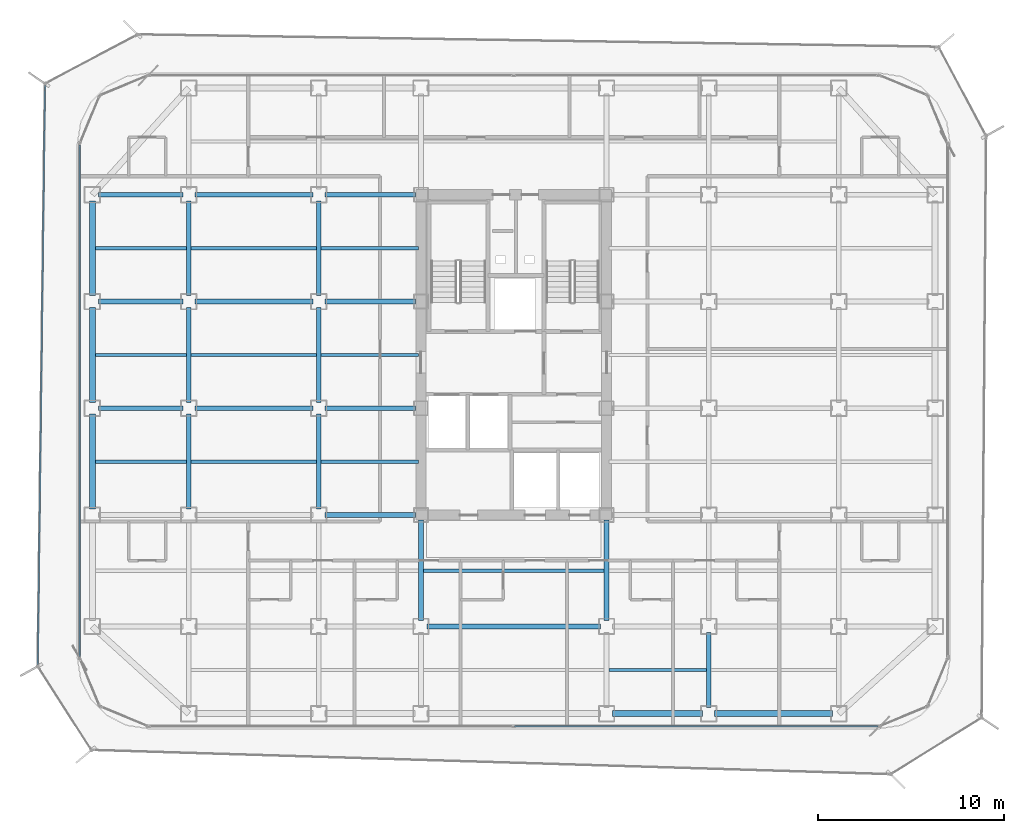
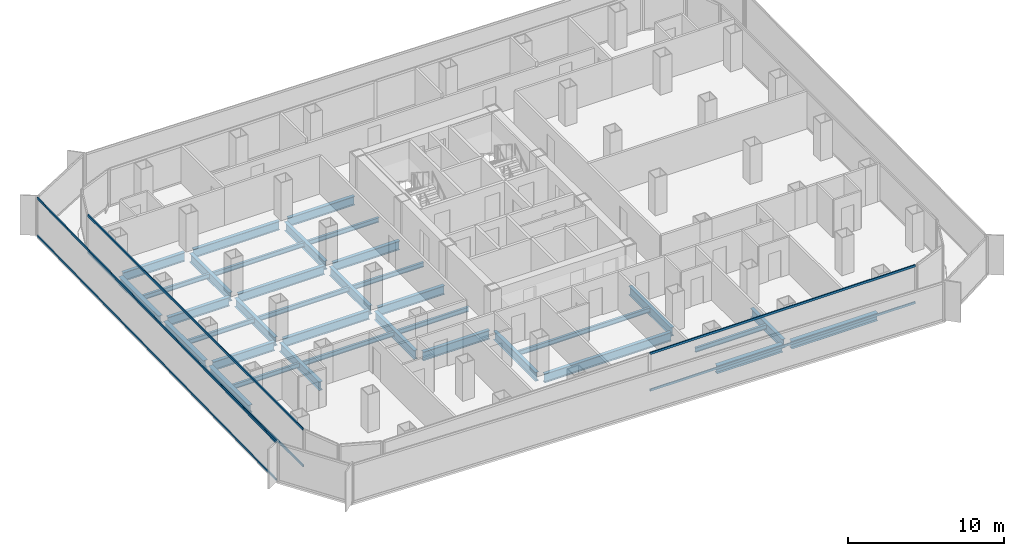
# One storey, part 5 of 21: 36 beams, 6 members, 3 elements without a shape of their own.
"""IFC4 building model written with IfcOpenShell, lengths in metres."""

from ifc_helpers import new_model, si_unit, direction, frame, origin, origin_2d, place, context, subcontext, project, spatial, hollow_rectangle, i_section, extrude, source, transform, mapped, material, layer, layer_set, material_profile, profile_set, type_object, element, aggregate, save


model = new_model("IFC4")

# Units and contexts
model_context = context("Model", 3, precision=1e-05, world=origin(), true_north=direction((0.0, 1.0)))
body_context = subcontext(model_context, "Body", "Model", "MODEL_VIEW")
ifc_project = project(units=[si_unit("LENGTHUNIT", "METRE"), si_unit("AREAUNIT", "SQUARE_METRE"), si_unit("VOLUMEUNIT", "CUBIC_METRE"), si_unit("PLANEANGLEUNIT", "RADIAN"), si_unit("MASSUNIT", "GRAM", prefix="KILO")], contexts=[model_context])

# Site, building, storey
site_placement = place(None, origin())
site = spatial("IfcSite", under=ifc_project, at=site_placement, CompositionType="ELEMENT")
building_placement = place(site_placement, origin())
building = spatial("IfcBuilding", under=site, at=building_placement, Name="Kolveth Station Tower", CompositionType="ELEMENT")
storey_placement = place(building_placement, frame((0.0, 0.0, 99.10009765625)))
storey = spatial("IfcBuildingStorey", under=building, at=storey_placement, Name="L26", CompositionType="ELEMENT", Elevation=99.10009765625)

# Beams
ifc_material_1 = material(Name="Steel S355", Category="steel")
ifc_material_profile_1 = material_profile(ifc_material_1, i_section(OverallWidth=0.323974609375, OverallDepth=0.611083984375, WebThickness=0.0126953125, FlangeThickness=0.01904296875, at=origin_2d()), Name="W610x155")
ifc_profile_set_1 = profile_set([ifc_material_profile_1], Name="Steel S355")
beam_type_1 = type_object("IfcBeamType", Name="Beam_SP2", PredefinedType="SPANDREL", material=ifc_profile_set_1)
shared_shape_1 = source(origin(), body_context, "Body", "SweptSolid", [
    extrude(i_section(OverallWidth=0.323974609375, OverallDepth=0.611083984375, WebThickness=0.0126953125, FlangeThickness=0.01904296875, at=origin_2d()), origin(), (0.0, 0.0, 1.0), 6.35986328125),
])
beam_1_placement = place(storey_placement, frame((34.320068359375, 0.800048828125, -0.5556640625), z_axis=(1.0, 0.0, 0.0), x_axis=(0.0, 1.0, 0.0)))
element("IfcBeam", 1, at=beam_1_placement, inside=storey, type_object=beam_type_1, Name="L26 Perimeter Spandrel BM-L26-PS-5", PredefinedType="SPANDREL", context=body_context, shape_type="MappedRepresentation", body=[
    mapped(shared_shape_1, transform((0.0, 0.0, 0.0), x_axis=(1.0, 0.0, 0.0), y_axis=(0.0, 1.0, 0.0), z_axis=(0.0, 0.0, 1.0), scale=1.0)),
])
shared_shape_2 = source(origin(), body_context, "Body", "SweptSolid", [
    extrude(i_section(OverallWidth=0.323974609375, OverallDepth=0.611083984375, WebThickness=0.0126953125, FlangeThickness=0.01904296875, at=origin_2d()), origin(), (0.0, 0.0, 1.0), 4.85986328125),
])
beam_2_placement = place(storey_placement, frame((28.820068359375, 0.800048828125, -0.5556640625), z_axis=(1.0, 0.0, 0.0), x_axis=(0.0, 1.0, 0.0)))
element("IfcBeam", 2, at=beam_2_placement, inside=storey, type_object=beam_type_1, Name="L26 Perimeter Spandrel BM-L26-PS-4", PredefinedType="SPANDREL", context=body_context, shape_type="MappedRepresentation", body=[
    mapped(shared_shape_2, transform((0.0, 0.0, 0.0), x_axis=(1.0, 0.0, 0.0), y_axis=(0.0, 1.0, 0.0), z_axis=(0.0, 0.0, 1.0), scale=1.0)),
])
shared_shape_3 = source(origin(), body_context, "Body", "SweptSolid", [
    extrude(i_section(OverallWidth=0.323974609375, OverallDepth=0.611083984375, WebThickness=0.0126953125, FlangeThickness=0.01904296875, at=origin_2d()), origin(), (0.0, 0.0, 1.0), 5.10986328125),
])
for number, where, z_axis, x_axis, name in (
    (3, (0.800048828125, 11.820068359375, -0.5556640625), (0.0, 1.0, 0.0), (-1.0, 0.0, 0.0), "L26 Perimeter Spandrel BM-L26-PW-2"),
    (4, (0.800048828125, 17.570068359375, -0.5556640625), (0.0, 1.0, 0.0), (-1.0, 0.0, 0.0), "L26 Perimeter Spandrel BM-L26-PW-3"),
    (5, (0.800048828125, 23.320068359375, -0.5556640625), (0.0, 1.0, 0.0), (-1.0, 0.0, 0.0), "L26 Perimeter Spandrel BM-L26-PW-4"),
):
    element("IfcBeam", number, at=place(storey_placement, frame(where, z_axis=z_axis, x_axis=x_axis)), inside=storey, type_object=beam_type_1, Name=name, PredefinedType="SPANDREL", context=body_context, shape_type="MappedRepresentation", body=[
        mapped(shared_shape_3, transform((0.0, 0.0, 0.0), x_axis=(1.0, 0.0, 0.0), y_axis=(0.0, 1.0, 0.0), z_axis=(0.0, 0.0, 1.0), scale=1.0)),
    ])
ifc_material_profile_2 = material_profile(ifc_material_1, i_section(OverallWidth=0.25390625, OverallDepth=0.68798828125, WebThickness=0.01318359375, FlangeThickness=0.02099609375, at=origin_2d()), Name="W690x152")
ifc_profile_set_2 = profile_set([ifc_material_profile_2], Name="Steel S355")
beam_type_2 = type_object("IfcBeamType", Name="Beam_B4", PredefinedType="BEAM", material=ifc_profile_set_2)
shared_shape_4 = source(origin(), body_context, "Body", "SweptSolid", [
    extrude(i_section(OverallWidth=0.25390625, OverallDepth=0.68798828125, WebThickness=0.01318359375, FlangeThickness=0.02099609375, at=origin_2d()), origin(), (0.0, 0.0, 1.0), 4.559814453125),
])
for number, where, z_axis, x_axis, name in (
    (6, (1.1201171875, 17.25, -0.593994140625), (1.0, 0.0, 0.0), (0.0, 1.0, 0.0), "L26 Primary Girder BM-L26-GY172-1"),
    (7, (1.1201171875, 23.0, -0.593994140625), (1.0, 0.0, 0.0), (0.0, 1.0, 0.0), "L26 Primary Girder BM-L26-GY230-1"),
    (8, (1.1201171875, 28.75, -0.593994140625), (1.0, 0.0, 0.0), (0.0, 1.0, 0.0), "L26 Primary Girder BM-L26-GY287-1"),
):
    element("IfcBeam", number, at=place(storey_placement, frame(where, z_axis=z_axis, x_axis=x_axis)), inside=storey, type_object=beam_type_2, Name=name, PredefinedType="BEAM", context=body_context, shape_type="MappedRepresentation", body=[
        mapped(shared_shape_4, transform((0.0, 0.0, 0.0), x_axis=(1.0, 0.0, 0.0), y_axis=(0.0, 1.0, 0.0), z_axis=(0.0, 0.0, 1.0), scale=1.0)),
    ])
shared_shape_5 = source(origin(), body_context, "Body", "SweptSolid", [
    extrude(i_section(OverallWidth=0.25390625, OverallDepth=0.68798828125, WebThickness=0.01318359375, FlangeThickness=0.02099609375, at=origin_2d()), origin(), (0.0, 0.0, 1.0), 6.35986328125),
])
for number, where, z_axis, x_axis, name in (
    (9, (6.320068359375, 17.25, -0.593994140625), (1.0, 0.0, 0.0), (0.0, 1.0, 0.0), "L26 Primary Girder BM-L26-GY172-2"),
    (10, (6.320068359375, 23.0, -0.593994140625), (1.0, 0.0, 0.0), (0.0, 1.0, 0.0), "L26 Primary Girder BM-L26-GY230-2"),
    (11, (6.320068359375, 28.75, -0.593994140625), (1.0, 0.0, 0.0), (0.0, 1.0, 0.0), "L26 Primary Girder BM-L26-GY287-2"),
):
    element("IfcBeam", number, at=place(storey_placement, frame(where, z_axis=z_axis, x_axis=x_axis)), inside=storey, type_object=beam_type_2, Name=name, PredefinedType="BEAM", context=body_context, shape_type="MappedRepresentation", body=[
        mapped(shared_shape_5, transform((0.0, 0.0, 0.0), x_axis=(1.0, 0.0, 0.0), y_axis=(0.0, 1.0, 0.0), z_axis=(0.0, 0.0, 1.0), scale=1.0)),
    ])
shared_shape_6 = source(origin(), body_context, "Body", "SweptSolid", [
    extrude(i_section(OverallWidth=0.25390625, OverallDepth=0.68798828125, WebThickness=0.01318359375, FlangeThickness=0.02099609375, at=origin_2d()), origin(), (0.0, 0.0, 1.0), 9.35986328125),
])
beam_3_placement = place(storey_placement, frame((18.820068359375, 5.5, -0.593994140625), z_axis=(1.0, 0.0, 0.0), x_axis=(0.0, 1.0, 0.0)))
element("IfcBeam", 12, at=beam_3_placement, inside=storey, type_object=beam_type_2, Name="L26 Primary Girder BM-L26-GY55-4", PredefinedType="BEAM", context=body_context, shape_type="MappedRepresentation", body=[
    mapped(shared_shape_6, transform((0.0, 0.0, 0.0), x_axis=(1.0, 0.0, 0.0), y_axis=(0.0, 1.0, 0.0), z_axis=(0.0, 0.0, 1.0), scale=1.0)),
])
shared_shape_7 = source(origin(), body_context, "Body", "SweptSolid", [
    extrude(i_section(OverallWidth=0.25390625, OverallDepth=0.68798828125, WebThickness=0.01318359375, FlangeThickness=0.02099609375, at=origin_2d()), origin(), (0.0, 0.0, 1.0), 4.89990234375),
])
for number, where, z_axis, x_axis, name in (
    (13, (13.320068359375, 11.5, -0.593994140625), (1.0, 0.0, 0.0), (0.0, 1.0, 0.0), "L26 Primary Girder BM-L26-GY115-3"),
    (14, (13.320068359375, 17.25, -0.593994140625), (1.0, 0.0, 0.0), (0.0, 1.0, 0.0), "L26 Primary Girder BM-L26-GY172-3"),
    (15, (13.320068359375, 23.0, -0.593994140625), (1.0, 0.0, 0.0), (0.0, 1.0, 0.0), "L26 Primary Girder BM-L26-GY230-3"),
    (16, (13.320068359375, 28.75, -0.593994140625), (1.0, 0.0, 0.0), (0.0, 1.0, 0.0), "L26 Primary Girder BM-L26-GY287-3"),
):
    element("IfcBeam", number, at=place(storey_placement, frame(where, z_axis=z_axis, x_axis=x_axis)), inside=storey, type_object=beam_type_2, Name=name, PredefinedType="BEAM", context=body_context, shape_type="MappedRepresentation", body=[
        mapped(shared_shape_7, transform((0.0, 0.0, 0.0), x_axis=(1.0, 0.0, 0.0), y_axis=(0.0, 1.0, 0.0), z_axis=(0.0, 0.0, 1.0), scale=1.0)),
    ])
shared_shape_8 = source(origin(), body_context, "Body", "SweptSolid", [
    extrude(i_section(OverallWidth=0.25390625, OverallDepth=0.68798828125, WebThickness=0.01318359375, FlangeThickness=0.02099609375, at=origin_2d()), origin(), (0.0, 0.0, 1.0), 4.059814453125),
])
beam_4_placement = place(storey_placement, frame((34.0, 1.1201171875, -0.593994140625), z_axis=(0.0, 1.0, 0.0), x_axis=(-1.0, 0.0, 0.0)))
element("IfcBeam", 17, at=beam_4_placement, inside=storey, type_object=beam_type_2, Name="L26 Primary Girder BM-L26-GX340-1", PredefinedType="BEAM", context=body_context, shape_type="MappedRepresentation", body=[
    mapped(shared_shape_8, transform((0.0, 0.0, 0.0), x_axis=(1.0, 0.0, 0.0), y_axis=(0.0, 1.0, 0.0), z_axis=(0.0, 0.0, 1.0), scale=1.0)),
])
shared_shape_9 = source(origin(), body_context, "Body", "SweptSolid", [
    extrude(i_section(OverallWidth=0.25390625, OverallDepth=0.68798828125, WebThickness=0.01318359375, FlangeThickness=0.02099609375, at=origin_2d()), origin(), (0.0, 0.0, 1.0), 5.10986328125),
])
for number, where, z_axis, x_axis, name in (
    (18, (6.0, 11.820068359375, -0.593994140625), (0.0, 1.0, 0.0), (-1.0, 0.0, 0.0), "L26 Primary Girder BM-L26-GX60-3"),
    (19, (6.0, 17.570068359375, -0.593994140625), (0.0, 1.0, 0.0), (-1.0, 0.0, 0.0), "L26 Primary Girder BM-L26-GX60-4"),
    (20, (6.0, 23.320068359375, -0.593994140625), (0.0, 1.0, 0.0), (-1.0, 0.0, 0.0), "L26 Primary Girder BM-L26-GX60-5"),
    (21, (13.0, 11.820068359375, -0.593994140625), (0.0, 1.0, 0.0), (-1.0, 0.0, 0.0), "L26 Primary Girder BM-L26-GX130-3"),
    (22, (13.0, 17.570068359375, -0.593994140625), (0.0, 1.0, 0.0), (-1.0, 0.0, 0.0), "L26 Primary Girder BM-L26-GX130-4"),
    (23, (13.0, 23.320068359375, -0.593994140625), (0.0, 1.0, 0.0), (-1.0, 0.0, 0.0), "L26 Primary Girder BM-L26-GX130-5"),
):
    element("IfcBeam", number, at=place(storey_placement, frame(where, z_axis=z_axis, x_axis=x_axis)), inside=storey, type_object=beam_type_2, Name=name, PredefinedType="BEAM", context=body_context, shape_type="MappedRepresentation", body=[
        mapped(shared_shape_9, transform((0.0, 0.0, 0.0), x_axis=(1.0, 0.0, 0.0), y_axis=(0.0, 1.0, 0.0), z_axis=(0.0, 0.0, 1.0), scale=1.0)),
    ])
shared_shape_10 = source(origin(), body_context, "Body", "SweptSolid", [
    extrude(i_section(OverallWidth=0.25390625, OverallDepth=0.68798828125, WebThickness=0.01318359375, FlangeThickness=0.02099609375, at=origin_2d()), origin(), (0.0, 0.0, 1.0), 5.39990234375),
])
for number, where, z_axis, x_axis, name in (
    (24, (18.5, 5.820068359375, -0.593994140625), (0.0, 1.0, 0.0), (-1.0, 0.0, 0.0), "L26 Primary Girder BM-L26-GX185-2"),
    (25, (28.5, 5.820068359375, -0.593994140625), (0.0, 1.0, 0.0), (-1.0, 0.0, 0.0), "L26 Primary Girder BM-L26-GX285-2"),
):
    element("IfcBeam", number, at=place(storey_placement, frame(where, z_axis=z_axis, x_axis=x_axis)), inside=storey, type_object=beam_type_2, Name=name, PredefinedType="BEAM", context=body_context, shape_type="MappedRepresentation", body=[
        mapped(shared_shape_10, transform((0.0, 0.0, 0.0), x_axis=(1.0, 0.0, 0.0), y_axis=(0.0, 1.0, 0.0), z_axis=(0.0, 0.0, 1.0), scale=1.0)),
    ])
ifc_material_profile_3 = material_profile(ifc_material_1, i_section(OverallWidth=0.1708984375, OverallDepth=0.35205078125, WebThickness=0.0068359375, FlangeThickness=0.009765625, at=origin_2d()), Name="W360x44")
ifc_profile_set_3 = profile_set([ifc_material_profile_3], Name="Steel S355")
beam_type_3 = type_object("IfcBeamType", Name="Beam_J2", PredefinedType="JOIST", material=ifc_profile_set_3)
shared_shape_11 = source(origin(), body_context, "Body", "SweptSolid", [
    extrude(i_section(OverallWidth=0.1708984375, OverallDepth=0.35205078125, WebThickness=0.0068359375, FlangeThickness=0.009765625, at=origin_2d()), origin(), (0.0, 0.0, 1.0), 4.9150390625),
])
for number, where, z_axis, x_axis, name in (
    (26, (0.9599609375, 14.375, -0.426025390625), (1.0, 0.0, 0.0), (0.0, 1.0, 0.0), "L26 Secondary Joist JST-L26-1-3"),
    (27, (0.9599609375, 20.125, -0.426025390625), (1.0, 0.0, 0.0), (0.0, 1.0, 0.0), "L26 Secondary Joist JST-L26-1-4"),
    (28, (0.9599609375, 25.875, -0.426025390625), (1.0, 0.0, 0.0), (0.0, 1.0, 0.0), "L26 Secondary Joist JST-L26-1-5"),
):
    element("IfcBeam", number, at=place(storey_placement, frame(where, z_axis=z_axis, x_axis=x_axis)), inside=storey, type_object=beam_type_3, Name=name, PredefinedType="JOIST", context=body_context, shape_type="MappedRepresentation", body=[
        mapped(shared_shape_11, transform((0.0, 0.0, 0.0), x_axis=(1.0, 0.0, 0.0), y_axis=(0.0, 1.0, 0.0), z_axis=(0.0, 0.0, 1.0), scale=1.0)),
    ])
shared_shape_12 = source(origin(), body_context, "Body", "SweptSolid", [
    extrude(i_section(OverallWidth=0.1708984375, OverallDepth=0.35205078125, WebThickness=0.0068359375, FlangeThickness=0.009765625, at=origin_2d()), origin(), (0.0, 0.0, 1.0), 6.75),
])
for number, where, z_axis, x_axis, name in (
    (29, (6.125, 14.375, -0.426025390625), (1.0, 0.0, 0.0), (0.0, 1.0, 0.0), "L26 Secondary Joist JST-L26-2-3"),
    (30, (6.125, 20.125, -0.426025390625), (1.0, 0.0, 0.0), (0.0, 1.0, 0.0), "L26 Secondary Joist JST-L26-2-4"),
    (31, (6.125, 25.875, -0.426025390625), (1.0, 0.0, 0.0), (0.0, 1.0, 0.0), "L26 Secondary Joist JST-L26-2-5"),
):
    element("IfcBeam", number, at=place(storey_placement, frame(where, z_axis=z_axis, x_axis=x_axis)), inside=storey, type_object=beam_type_3, Name=name, PredefinedType="JOIST", context=body_context, shape_type="MappedRepresentation", body=[
        mapped(shared_shape_12, transform((0.0, 0.0, 0.0), x_axis=(1.0, 0.0, 0.0), y_axis=(0.0, 1.0, 0.0), z_axis=(0.0, 0.0, 1.0), scale=1.0)),
    ])
shared_shape_13 = source(origin(), body_context, "Body", "SweptSolid", [
    extrude(i_section(OverallWidth=0.1708984375, OverallDepth=0.35205078125, WebThickness=0.0068359375, FlangeThickness=0.009765625, at=origin_2d()), origin(), (0.0, 0.0, 1.0), 5.25),
])
for number, where, z_axis, x_axis, name in (
    (32, (13.125, 14.375, -0.426025390625), (1.0, 0.0, 0.0), (0.0, 1.0, 0.0), "L26 Secondary Joist JST-L26-3-3"),
    (33, (13.125, 20.125, -0.426025390625), (1.0, 0.0, 0.0), (0.0, 1.0, 0.0), "L26 Secondary Joist JST-L26-3-4"),
    (34, (13.125, 25.875, -0.426025390625), (1.0, 0.0, 0.0), (0.0, 1.0, 0.0), "L26 Secondary Joist JST-L26-3-5"),
    (35, (28.625, 3.14990234375, -0.426025390625), (1.0, 0.0, 0.0), (0.0, 1.0, 0.0), "L26 Secondary Joist JST-L26-5-1"),
):
    element("IfcBeam", number, at=place(storey_placement, frame(where, z_axis=z_axis, x_axis=x_axis)), inside=storey, type_object=beam_type_3, Name=name, PredefinedType="JOIST", context=body_context, shape_type="MappedRepresentation", body=[
        mapped(shared_shape_13, transform((0.0, 0.0, 0.0), x_axis=(1.0, 0.0, 0.0), y_axis=(0.0, 1.0, 0.0), z_axis=(0.0, 0.0, 1.0), scale=1.0)),
    ])
shared_shape_14 = source(origin(), body_context, "Body", "SweptSolid", [
    extrude(i_section(OverallWidth=0.1708984375, OverallDepth=0.35205078125, WebThickness=0.0068359375, FlangeThickness=0.009765625, at=origin_2d()), origin(), (0.0, 0.0, 1.0), 9.75),
])
beam_5_placement = place(storey_placement, frame((18.625, 8.5, -0.426025390625), z_axis=(1.0, 0.0, 0.0), x_axis=(0.0, 1.0, 0.0)))
element("IfcBeam", 36, at=beam_5_placement, inside=storey, type_object=beam_type_3, Name="L26 Secondary Joist JST-L26-4-2", PredefinedType="JOIST", context=body_context, shape_type="MappedRepresentation", body=[
    mapped(shared_shape_14, transform((0.0, 0.0, 0.0), x_axis=(1.0, 0.0, 0.0), y_axis=(0.0, 1.0, 0.0), z_axis=(0.0, 0.0, 1.0), scale=1.0)),
])

# Curtain wall, members
ifc_material_2 = material(Name="Aluminium 6063-T6 and low-E dark glass", Category="aluminium")
ifc_layer_1 = layer(ifc_material_2, 0.18994140625)
ifc_layer_set_1 = layer_set([ifc_layer_1], Name="Aluminium 6063-T6 and low-E dark glass")
curtain_wall_type_1 = type_object("IfcCurtainWallType", Name="CurtainWall_CW-Z2", PredefinedType="NOTDEFINED", material=ifc_layer_set_1)
curtain_wall_1_placement = place(storey_placement, origin())
curtain_wall_1 = element("IfcCurtainWall", 37, at=curtain_wall_1_placement, inside=storey, type_object=curtain_wall_type_1, Name="L26 Inner Thermal Curtain Wall 9", PredefinedType="NOTDEFINED")
ifc_material_3 = material(Name="Black anodized aluminium 6063-T6", Category="aluminium")
ifc_material_profile_4 = material_profile(ifc_material_3, hollow_rectangle(XDim=0.080078125, YDim=0.169921875, WallThickness=0.0048828125, at=origin_2d()), Name="ALU-80x170x5")
ifc_profile_set_4 = profile_set([ifc_material_profile_4], Name="Black anodized aluminium 6063-T6")
member_type_1 = type_object("IfcMemberType", Name="Transom_TR2", PredefinedType="USERDEFINED", material=ifc_profile_set_4)
shared_shape_15 = source(origin(), body_context, "Body", "SweptSolid", [
    extrude(hollow_rectangle(XDim=0.080078125, YDim=0.169921875, WallThickness=0.0048828125, at=origin_2d()), origin(), (0.0, 0.0, 1.0), 27.5400390625),
])
member_1_placement = place(storey_placement, frame((0.1201171875, 31.419921875, 0.039794921875), z_axis=(0.0, -1.0, 0.0), x_axis=(1.0, 0.0, 0.0)))
member_1 = element("IfcMember", 38, at=member_1_placement, type_object=member_type_1, Name="CW-Z2 transom 1.1", ObjectType="TRANSOM", PredefinedType="USERDEFINED", context=body_context, shape_type="MappedRepresentation", body=[
    mapped(shared_shape_15, transform((0.0, 0.0, 0.0), x_axis=(1.0, 0.0, 0.0), y_axis=(0.0, 1.0, 0.0), z_axis=(0.0, 0.0, 1.0), scale=1.0)),
])
member_2_placement = place(storey_placement, frame((0.1201171875, 31.419921875, 2.909912109375), z_axis=(0.0, -1.0, 0.0), x_axis=(1.0, 0.0, 0.0)))
member_2 = element("IfcMember", 39, at=member_2_placement, type_object=member_type_1, Name="CW-Z2 transom 1.2", ObjectType="TRANSOM", PredefinedType="USERDEFINED", context=body_context, shape_type="MappedRepresentation", body=[
    mapped(shared_shape_15, transform((0.0, 0.0, 0.0), x_axis=(1.0, 0.0, 0.0), y_axis=(0.0, 1.0, 0.0), z_axis=(0.0, 0.0, 1.0), scale=1.0)),
])
aggregate(curtain_wall_1, [member_1, member_2])

curtain_wall_2_placement = place(storey_placement, origin())
curtain_wall_2 = element("IfcCurtainWall", 40, at=curtain_wall_2_placement, inside=storey, type_object=curtain_wall_type_1, Name="L26 Inner Thermal Curtain Wall 12", PredefinedType="NOTDEFINED")
shared_shape_16 = source(origin(), body_context, "Body", "SweptSolid", [
    extrude(hollow_rectangle(XDim=0.080078125, YDim=0.169921875, WallThickness=0.0048828125, at=origin_2d()), origin(), (0.0, 0.0, 1.0), 19.580078125),
])
member_3_placement = place(storey_placement, frame((23.5400390625, 0.1201171875, 0.039794921875), z_axis=(1.0, 0.0, 0.0), x_axis=(0.0, 1.0, 0.0)))
member_3 = element("IfcMember", 41, at=member_3_placement, type_object=member_type_1, Name="CW-Z2 transom 2.1", ObjectType="TRANSOM", PredefinedType="USERDEFINED", context=body_context, shape_type="MappedRepresentation", body=[
    mapped(shared_shape_16, transform((0.0, 0.0, 0.0), x_axis=(1.0, 0.0, 0.0), y_axis=(0.0, 1.0, 0.0), z_axis=(0.0, 0.0, 1.0), scale=1.0)),
])
member_4_placement = place(storey_placement, frame((23.5400390625, 0.1201171875, 2.909912109375), z_axis=(1.0, 0.0, 0.0), x_axis=(0.0, 1.0, 0.0)))
member_4 = element("IfcMember", 42, at=member_4_placement, type_object=member_type_1, Name="CW-Z2 transom 2.2", ObjectType="TRANSOM", PredefinedType="USERDEFINED", context=body_context, shape_type="MappedRepresentation", body=[
    mapped(shared_shape_16, transform((0.0, 0.0, 0.0), x_axis=(1.0, 0.0, 0.0), y_axis=(0.0, 1.0, 0.0), z_axis=(0.0, 0.0, 1.0), scale=1.0)),
])
aggregate(curtain_wall_2, [member_3, member_4])

ifc_material_4 = material(Name="Black anodized aluminium 6063-T6 and dark solar glass", Category="aluminium")
ifc_layer_2 = layer(ifc_material_4, 0.159912109375)
ifc_layer_set_2 = layer_set([ifc_layer_2], Name="Black anodized aluminium 6063-T6 and dark solar glass")
curtain_wall_type_2 = type_object("IfcCurtainWallType", Name="OUTER SKIN CW-OS", PredefinedType="NOTDEFINED", material=ifc_layer_set_2)
curtain_wall_3_placement = place(storey_placement, origin())
curtain_wall_3 = element("IfcCurtainWall", 43, at=curtain_wall_3_placement, inside=storey, type_object=curtain_wall_type_2, Name="L26 Outer Ventilated Skin Curtain Wall 6", PredefinedType="NOTDEFINED")
ifc_material_profile_5 = material_profile(ifc_material_3, hollow_rectangle(XDim=0.080078125, YDim=0.14990234375, WallThickness=0.0048828125, at=origin_2d()), Name="ALU-80x150x5")
ifc_profile_set_5 = profile_set([ifc_material_profile_5], Name="Black anodized aluminium 6063-T6")
member_type_2 = type_object("IfcMemberType", Name="Transom_TR-OS", PredefinedType="USERDEFINED", material=ifc_profile_set_5)
shared_shape_17 = source(origin(), body_context, "Body", "SweptSolid", [
    extrude(hollow_rectangle(XDim=0.080078125, YDim=0.14990234375, WallThickness=0.0048828125, at=origin_2d()), origin(), (0.0, 0.0, 1.0), 31.2099609375),
])
member_5_placement = place(storey_placement, frame((-1.746826171875, 34.64892578125, 0.039794921875), z_axis=(-0.012437821798, -0.999922647303, 0.0), x_axis=(0.999922647303, -0.012437821798, 0.0)))
member_5 = element("IfcMember", 44, at=member_5_placement, type_object=member_type_2, Name="CW-OS transom 1.1", ObjectType="TRANSOM", PredefinedType="USERDEFINED", context=body_context, shape_type="MappedRepresentation", body=[
    mapped(shared_shape_17, transform((0.0, 0.0, 0.0), x_axis=(1.0, 0.0, 0.0), y_axis=(0.0, 1.0, 0.0), z_axis=(0.0, 0.0, 1.0), scale=1.0)),
])
member_6_placement = place(storey_placement, frame((-1.746826171875, 34.64892578125, 2.949951171875), z_axis=(-0.012437821798, -0.999922647303, 0.0), x_axis=(0.999922647303, -0.012437821798, 0.0)))
member_6 = element("IfcMember", 45, at=member_6_placement, type_object=member_type_2, Name="CW-OS transom 1.2", ObjectType="TRANSOM", PredefinedType="USERDEFINED", context=body_context, shape_type="MappedRepresentation", body=[
    mapped(shared_shape_17, transform((0.0, 0.0, 0.0), x_axis=(1.0, 0.0, 0.0), y_axis=(0.0, 1.0, 0.0), z_axis=(0.0, 0.0, 1.0), scale=1.0)),
])
aggregate(curtain_wall_3, [member_5, member_6])

save(model, "model.ifc")
